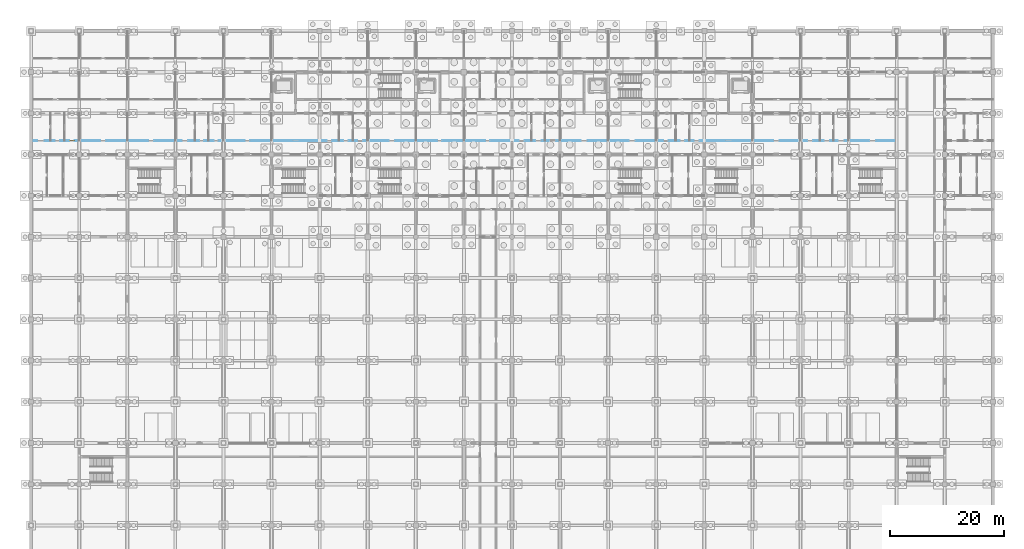
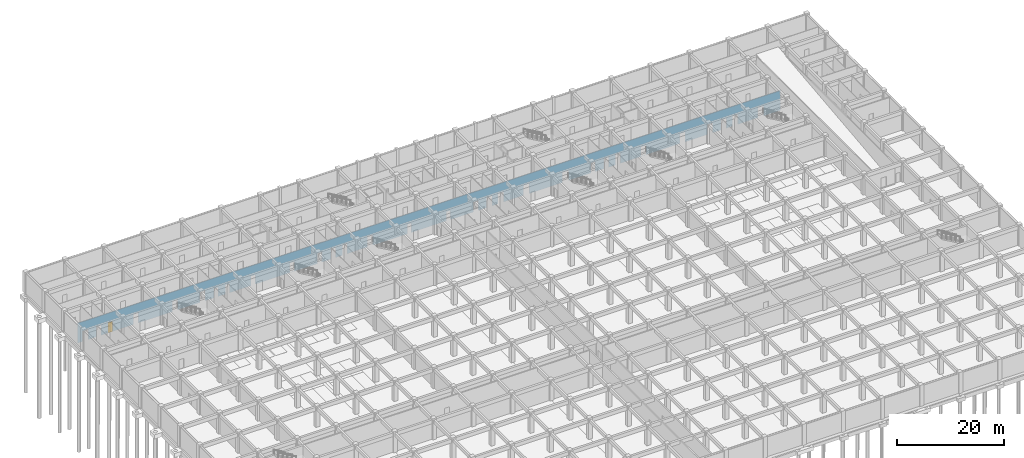
# One storey, part 43 of 85: 1 door, 30 openings, plus 1 element that does not belong to this part.
"""IFC4 building model written with IfcOpenShell, lengths in metres."""

from ifc_helpers import new_model, si_unit, direction, frame, frame_2d, origin, place, context, subcontext, project, spatial, rectangle, extrude, material, layer, layer_set, type_object, element, fill, save


model = new_model("IFC4")

# Units and contexts
model_context = context("Model", 3, precision=1e-05, world=origin(), true_north=direction((0.0, 1.0)))
body_context = subcontext(model_context, "Body", "Model", "MODEL_VIEW")
ifc_project = project(units=[si_unit("LENGTHUNIT", "METRE"), si_unit("AREAUNIT", "SQUARE_METRE"), si_unit("VOLUMEUNIT", "CUBIC_METRE"), si_unit("PLANEANGLEUNIT", "RADIAN"), si_unit("MASSUNIT", "GRAM", prefix="KILO")], contexts=[model_context])

# Site, building, storey
site_placement = place(None, origin())
site = spatial("IfcSite", under=ifc_project, at=site_placement, CompositionType="ELEMENT")
building_placement = place(site_placement, origin())
building = spatial("IfcBuilding", under=site, at=building_placement, Name="Chengyuan Square Courthouse", CompositionType="ELEMENT")
storey_placement = place(building_placement, frame((0.0, 0.0, -10.199951171875)))
storey = spatial("IfcBuildingStorey", under=building, at=storey_placement, Name="B02", CompositionType="ELEMENT", Elevation=-10.199951171875)

# Wall, openings, door
ifc_material_1 = material(Name="Gypsum Plasterboard Acoustic Stud Partition")
ifc_layer = layer(ifc_material_1, 0.10009765625)
ifc_layer_set = layer_set([ifc_layer], Name="Gypsum Plasterboard Acoustic Stud Partition")
wall_type = type_object("IfcWallType", Name="WL-PT6", PredefinedType="STANDARD", material=ifc_layer_set)
wall_placement = place(storey_placement, frame((0.0400390625, 96.0, 0.0), z_axis=(0.0, 0.0, 1.0), x_axis=(1.0, 0.0, 0.0)))
wall = element("IfcWall", 1, at=wall_placement, inside=storey, type_object=wall_type, Name="Interior Wall WL-B02-I062", PredefinedType="STANDARD", context=body_context, shape_type="SweptSolid", body=[
    extrude(rectangle(XDim=151.159912109375, YDim=0.10009765625, at=frame_2d((75.580078125, 0.0))), origin(), (0.0, 0.0, 1.0), 4.47998046875),
])
opening_1_placement = place(wall_placement, frame((1.0400390625, 0.0, 0.0)))
element("IfcOpeningElement", 2, at=opening_1_placement, cuts=wall, Name="Opening DR-148", PredefinedType="OPENING", context=body_context, shape_type="SweptSolid", body=[
    extrude(rectangle(XDim=1.280029296875, YDim=2.35009765625, at=frame_2d((0.64013671875, 1.175048828125))), frame((0.0, 0.06201171875, 0.0), z_axis=(0.0, -1.0, 0.0), x_axis=(1.0, 0.0, 0.0)), (0.0, 0.0, 1.0), 0.1240234375),
])
opening_2_placement = place(wall_placement, frame((4.090087890625, 0.0, 0.0)))
element("IfcOpeningElement", 3, at=opening_2_placement, cuts=wall, Name="Opening DR-149", PredefinedType="OPENING", context=body_context, shape_type="SweptSolid", body=[
    extrude(rectangle(XDim=0.93994140625, YDim=2.300048828125, at=frame_2d((0.469970703125, 1.14990234375))), frame((0.0, 0.06201171875, 0.0), z_axis=(0.0, -1.0, 0.0), x_axis=(1.0, 0.0, 0.0)), (0.0, 0.0, 1.0), 0.1240234375),
])
opening_3_placement = place(wall_placement, frame((6.570068359375, 0.0, 0.0)))
opening_3 = element("IfcOpeningElement", 4, at=opening_3_placement, cuts=wall, Name="Opening DR-150", PredefinedType="OPENING", context=body_context, shape_type="SweptSolid", body=[
    extrude(rectangle(XDim=0.97998046875, YDim=2.35009765625, at=frame_2d((0.489990234375, 1.175048828125))), frame((0.0, 0.06201171875, 0.0), z_axis=(0.0, -1.0, 0.0), x_axis=(1.0, 0.0, 0.0)), (0.0, 0.0, 1.0), 0.1240234375),
])
opening_4_placement = place(wall_placement, frame((12.050048828125, 0.0, 0.0)))
element("IfcOpeningElement", 5, at=opening_4_placement, cuts=wall, Name="Opening DR-151", PredefinedType="OPENING", context=body_context, shape_type="SweptSolid", body=[
    extrude(rectangle(XDim=1.02001953125, YDim=2.39990234375, at=frame_2d((0.510009765625, 1.199951171875))), frame((0.0, 0.06201171875, 0.0), z_axis=(0.0, -1.0, 0.0), x_axis=(1.0, 0.0, 0.0)), (0.0, 0.0, 1.0), 0.1240234375),
])
opening_5_placement = place(wall_placement, frame((20.429931640625, 0.0, 0.0)))
element("IfcOpeningElement", 6, at=opening_5_placement, cuts=wall, Name="Opening DR-152", PredefinedType="OPENING", context=body_context, shape_type="SweptSolid", body=[
    extrude(rectangle(XDim=1.06005859375, YDim=2.39990234375, at=frame_2d((0.530029296875, 1.199951171875))), frame((0.0, 0.06201171875, 0.0), z_axis=(0.0, -1.0, 0.0), x_axis=(1.0, 0.0, 0.0)), (0.0, 0.0, 1.0), 0.1240234375),
])
opening_6_placement = place(wall_placement, frame((26.2900390625, 0.0, 0.0)))
element("IfcOpeningElement", 7, at=opening_6_placement, cuts=wall, Name="Opening DR-153", PredefinedType="OPENING", context=body_context, shape_type="SweptSolid", body=[
    extrude(rectangle(XDim=1.139892578125, YDim=2.39990234375, at=frame_2d((0.56982421875, 1.199951171875))), frame((0.0, 0.06201171875, 0.0), z_axis=(0.0, -1.0, 0.0), x_axis=(1.0, 0.0, 0.0)), (0.0, 0.0, 1.0), 0.1240234375),
])
opening_7_placement = place(wall_placement, frame((29.31005859375, 0.0, 0.0)))
element("IfcOpeningElement", 8, at=opening_7_placement, cuts=wall, Name="Opening DR-154", PredefinedType="OPENING", context=body_context, shape_type="SweptSolid", body=[
    extrude(rectangle(XDim=0.89990234375, YDim=2.14990234375, at=frame_2d((0.449951171875, 1.074951171875))), frame((0.0, 0.06201171875, 0.0), z_axis=(0.0, -1.0, 0.0), x_axis=(1.0, 0.0, 0.0)), (0.0, 0.0, 1.0), 0.1240234375),
])
opening_8_placement = place(wall_placement, frame((31.830078125, 0.0, 0.0)))
element("IfcOpeningElement", 9, at=opening_8_placement, cuts=wall, Name="Opening DR-155", PredefinedType="OPENING", context=body_context, shape_type="SweptSolid", body=[
    extrude(rectangle(XDim=0.860107421875, YDim=2.10009765625, at=frame_2d((0.43017578125, 1.050048828125))), frame((0.0, 0.06201171875, 0.0), z_axis=(0.0, -1.0, 0.0), x_axis=(1.0, 0.0, 0.0)), (0.0, 0.0, 1.0), 0.1240234375),
])
opening_9_placement = place(wall_placement, frame((37.300048828125, 0.0, 0.0)))
element("IfcOpeningElement", 10, at=opening_9_placement, cuts=wall, Name="Opening DR-156", PredefinedType="OPENING", context=body_context, shape_type="SweptSolid", body=[
    extrude(rectangle(XDim=0.919921875, YDim=2.14990234375, at=frame_2d((0.4599609375, 1.074951171875))), frame((0.0, 0.06201171875, 0.0), z_axis=(0.0, -1.0, 0.0), x_axis=(1.0, 0.0, 0.0)), (0.0, 0.0, 1.0), 0.1240234375),
])
opening_10_placement = place(wall_placement, frame((45.679931640625, 0.0, 0.0)))
element("IfcOpeningElement", 11, at=opening_10_placement, cuts=wall, Name="Opening DR-157", PredefinedType="OPENING", context=body_context, shape_type="SweptSolid", body=[
    extrude(rectangle(XDim=0.9599609375, YDim=2.199951171875, at=frame_2d((0.47998046875, 1.10009765625))), frame((0.0, 0.06201171875, 0.0), z_axis=(0.0, -1.0, 0.0), x_axis=(1.0, 0.0, 0.0)), (0.0, 0.0, 1.0), 0.1240234375),
])
opening_11_placement = place(wall_placement, frame((51.570068359375, 0.0, 0.0)))
element("IfcOpeningElement", 12, at=opening_11_placement, cuts=wall, Name="Opening DR-167", PredefinedType="OPENING", context=body_context, shape_type="SweptSolid", body=[
    extrude(rectangle(XDim=0.97998046875, YDim=2.35009765625, at=frame_2d((0.489990234375, 1.175048828125))), frame((0.0, 0.06201171875, 0.0), z_axis=(0.0, -1.0, 0.0), x_axis=(1.0, 0.0, 0.0)), (0.0, 0.0, 1.0), 0.1240234375),
])
opening_12_placement = place(wall_placement, frame((54.449951171875, 0.0, 0.0)))
element("IfcOpeningElement", 13, at=opening_12_placement, cuts=wall, Name="Opening DR-168", PredefinedType="OPENING", context=body_context, shape_type="SweptSolid", body=[
    extrude(rectangle(XDim=1.02001953125, YDim=2.39990234375, at=frame_2d((0.510009765625, 1.199951171875))), frame((0.0, 0.06201171875, 0.0), z_axis=(0.0, -1.0, 0.0), x_axis=(1.0, 0.0, 0.0)), (0.0, 0.0, 1.0), 0.1240234375),
])
opening_13_placement = place(wall_placement, frame((56.929931640625, 0.0, 0.0)))
element("IfcOpeningElement", 14, at=opening_13_placement, cuts=wall, Name="Opening DR-169", PredefinedType="OPENING", context=body_context, shape_type="SweptSolid", body=[
    extrude(rectangle(XDim=1.06005859375, YDim=2.39990234375, at=frame_2d((0.530029296875, 1.199951171875))), frame((0.0, 0.06201171875, 0.0), z_axis=(0.0, -1.0, 0.0), x_axis=(1.0, 0.0, 0.0)), (0.0, 0.0, 1.0), 0.1240234375),
])
opening_14_placement = place(wall_placement, frame((62.389892578125, 0.0, 0.0)))
element("IfcOpeningElement", 15, at=opening_14_placement, cuts=wall, Name="Opening DR-170", PredefinedType="OPENING", context=body_context, shape_type="SweptSolid", body=[
    extrude(rectangle(XDim=1.139892578125, YDim=2.39990234375, at=frame_2d((0.56982421875, 1.199951171875))), frame((0.0, 0.06201171875, 0.0), z_axis=(0.0, -1.0, 0.0), x_axis=(1.0, 0.0, 0.0)), (0.0, 0.0, 1.0), 0.1240234375),
])
opening_15_placement = place(wall_placement, frame((70.909912109375, 0.0, 0.0)))
element("IfcOpeningElement", 16, at=opening_15_placement, cuts=wall, Name="Opening DR-171", PredefinedType="OPENING", context=body_context, shape_type="SweptSolid", body=[
    extrude(rectangle(XDim=0.89990234375, YDim=2.14990234375, at=frame_2d((0.449951171875, 1.074951171875))), frame((0.0, 0.06201171875, 0.0), z_axis=(0.0, -1.0, 0.0), x_axis=(1.0, 0.0, 0.0)), (0.0, 0.0, 1.0), 0.1240234375),
])
opening_16_placement = place(wall_placement, frame((79.330078125, 0.0, 0.0)))
element("IfcOpeningElement", 17, at=opening_16_placement, cuts=wall, Name="Opening DR-172", PredefinedType="OPENING", context=body_context, shape_type="SweptSolid", body=[
    extrude(rectangle(XDim=0.860107421875, YDim=2.10009765625, at=frame_2d((0.43017578125, 1.050048828125))), frame((0.0, 0.06201171875, 0.0), z_axis=(0.0, -1.0, 0.0), x_axis=(1.0, 0.0, 0.0)), (0.0, 0.0, 1.0), 0.1240234375),
])
opening_17_placement = place(wall_placement, frame((85.10009765625, 0.0, 0.0)))
element("IfcOpeningElement", 18, at=opening_17_placement, cuts=wall, Name="Opening DR-178", PredefinedType="OPENING", context=body_context, shape_type="SweptSolid", body=[
    extrude(rectangle(XDim=1.1201171875, YDim=2.25, at=frame_2d((0.56005859375, 1.125))), frame((0.0, 0.06201171875, 0.0), z_axis=(0.0, -1.0, 0.0), x_axis=(1.0, 0.0, 0.0)), (0.0, 0.0, 1.0), 0.1240234375),
])
opening_18_placement = place(wall_placement, frame((87.97998046875, 0.0, 0.0)))
element("IfcOpeningElement", 19, at=opening_18_placement, cuts=wall, Name="Opening DR-179", PredefinedType="OPENING", context=body_context, shape_type="SweptSolid", body=[
    extrude(rectangle(XDim=1.159912109375, YDim=2.300048828125, at=frame_2d((0.580078125, 1.14990234375))), frame((0.0, 0.06201171875, 0.0), z_axis=(0.0, -1.0, 0.0), x_axis=(1.0, 0.0, 0.0)), (0.0, 0.0, 1.0), 0.1240234375),
])
opening_19_placement = place(wall_placement, frame((90.4599609375, 0.0, 0.0)))
element("IfcOpeningElement", 20, at=opening_19_placement, cuts=wall, Name="Opening DR-180", PredefinedType="OPENING", context=body_context, shape_type="SweptSolid", body=[
    extrude(rectangle(XDim=1.199951171875, YDim=2.35009765625, at=frame_2d((0.60009765625, 1.175048828125))), frame((0.0, 0.06201171875, 0.0), z_axis=(0.0, -1.0, 0.0), x_axis=(1.0, 0.0, 0.0)), (0.0, 0.0, 1.0), 0.1240234375),
])
opening_20_placement = place(wall_placement, frame((95.93994140625, 0.0, 0.0)))
element("IfcOpeningElement", 21, at=opening_20_placement, cuts=wall, Name="Opening DR-181", PredefinedType="OPENING", context=body_context, shape_type="SweptSolid", body=[
    extrude(rectangle(XDim=1.239990234375, YDim=2.300048828125, at=frame_2d((0.6201171875, 1.14990234375))), frame((0.0, 0.06201171875, 0.0), z_axis=(0.0, -1.0, 0.0), x_axis=(1.0, 0.0, 0.0)), (0.0, 0.0, 1.0), 0.1240234375),
])
opening_21_placement = place(wall_placement, frame((104.320068359375, 0.0, 0.0)))
element("IfcOpeningElement", 22, at=opening_21_placement, cuts=wall, Name="Opening DR-182", PredefinedType="OPENING", context=body_context, shape_type="SweptSolid", body=[
    extrude(rectangle(XDim=1.280029296875, YDim=2.35009765625, at=frame_2d((0.64013671875, 1.175048828125))), frame((0.0, 0.06201171875, 0.0), z_axis=(0.0, -1.0, 0.0), x_axis=(1.0, 0.0, 0.0)), (0.0, 0.0, 1.0), 0.1240234375),
])
opening_22_placement = place(wall_placement, frame((110.389892578125, 0.0, 0.0)))
element("IfcOpeningElement", 23, at=opening_22_placement, cuts=wall, Name="Opening DR-183", PredefinedType="OPENING", context=body_context, shape_type="SweptSolid", body=[
    extrude(rectangle(XDim=0.93994140625, YDim=2.300048828125, at=frame_2d((0.469970703125, 1.14990234375))), frame((0.0, 0.06201171875, 0.0), z_axis=(0.0, -1.0, 0.0), x_axis=(1.0, 0.0, 0.0)), (0.0, 0.0, 1.0), 0.1240234375),
])
opening_23_placement = place(wall_placement, frame((113.27001953125, 0.0, 0.0)))
element("IfcOpeningElement", 24, at=opening_23_placement, cuts=wall, Name="Opening DR-184", PredefinedType="OPENING", context=body_context, shape_type="SweptSolid", body=[
    extrude(rectangle(XDim=0.97998046875, YDim=2.35009765625, at=frame_2d((0.489990234375, 1.175048828125))), frame((0.0, 0.06201171875, 0.0), z_axis=(0.0, -1.0, 0.0), x_axis=(1.0, 0.0, 0.0)), (0.0, 0.0, 1.0), 0.1240234375),
])
opening_24_placement = place(wall_placement, frame((115.75, 0.0, 0.0)))
element("IfcOpeningElement", 25, at=opening_24_placement, cuts=wall, Name="Opening DR-185", PredefinedType="OPENING", context=body_context, shape_type="SweptSolid", body=[
    extrude(rectangle(XDim=1.02001953125, YDim=2.39990234375, at=frame_2d((0.510009765625, 1.199951171875))), frame((0.0, 0.06201171875, 0.0), z_axis=(0.0, -1.0, 0.0), x_axis=(1.0, 0.0, 0.0)), (0.0, 0.0, 1.0), 0.1240234375),
])
opening_25_placement = place(wall_placement, frame((121.239990234375, 0.0, 0.0)))
element("IfcOpeningElement", 26, at=opening_25_placement, cuts=wall, Name="Opening DR-193", PredefinedType="OPENING", context=body_context, shape_type="SweptSolid", body=[
    extrude(rectangle(XDim=1.0400390625, YDim=2.199951171875, at=frame_2d((0.52001953125, 1.10009765625))), frame((0.0, 0.06201171875, 0.0), z_axis=(0.0, -1.0, 0.0), x_axis=(1.0, 0.0, 0.0)), (0.0, 0.0, 1.0), 0.1240234375),
])
opening_26_placement = place(wall_placement, frame((129.6201171875, 0.0, 0.0)))
element("IfcOpeningElement", 27, at=opening_26_placement, cuts=wall, Name="Opening DR-194", PredefinedType="OPENING", context=body_context, shape_type="SweptSolid", body=[
    extrude(rectangle(XDim=1.080078125, YDim=2.25, at=frame_2d((0.5400390625, 1.125))), frame((0.0, 0.06201171875, 0.0), z_axis=(0.0, -1.0, 0.0), x_axis=(1.0, 0.0, 0.0)), (0.0, 0.0, 1.0), 0.1240234375),
])
opening_27_placement = place(wall_placement, frame((135.5, 0.0, 0.0)))
element("IfcOpeningElement", 28, at=opening_27_placement, cuts=wall, Name="Opening DR-195", PredefinedType="OPENING", context=body_context, shape_type="SweptSolid", body=[
    extrude(rectangle(XDim=1.1201171875, YDim=2.25, at=frame_2d((0.56005859375, 1.125))), frame((0.0, 0.06201171875, 0.0), z_axis=(0.0, -1.0, 0.0), x_axis=(1.0, 0.0, 0.0)), (0.0, 0.0, 1.0), 0.1240234375),
])
opening_28_placement = place(wall_placement, frame((138.3798828125, 0.0, 0.0)))
element("IfcOpeningElement", 29, at=opening_28_placement, cuts=wall, Name="Opening DR-196", PredefinedType="OPENING", context=body_context, shape_type="SweptSolid", body=[
    extrude(rectangle(XDim=1.159912109375, YDim=2.300048828125, at=frame_2d((0.580078125, 1.14990234375))), frame((0.0, 0.06201171875, 0.0), z_axis=(0.0, -1.0, 0.0), x_axis=(1.0, 0.0, 0.0)), (0.0, 0.0, 1.0), 0.1240234375),
])
opening_29_placement = place(wall_placement, frame((140.860107421875, 0.0, 0.0)))
element("IfcOpeningElement", 30, at=opening_29_placement, cuts=wall, Name="Opening DR-197", PredefinedType="OPENING", context=body_context, shape_type="SweptSolid", body=[
    extrude(rectangle(XDim=1.199951171875, YDim=2.35009765625, at=frame_2d((0.60009765625, 1.175048828125))), frame((0.0, 0.06201171875, 0.0), z_axis=(0.0, -1.0, 0.0), x_axis=(1.0, 0.0, 0.0)), (0.0, 0.0, 1.0), 0.1240234375),
])
opening_30_placement = place(wall_placement, frame((146.340087890625, 0.0, 0.0)))
element("IfcOpeningElement", 31, at=opening_30_placement, cuts=wall, Name="Opening DR-198", PredefinedType="OPENING", context=body_context, shape_type="SweptSolid", body=[
    extrude(rectangle(XDim=1.239990234375, YDim=2.300048828125, at=frame_2d((0.6201171875, 1.14990234375))), frame((0.0, 0.06201171875, 0.0), z_axis=(0.0, -1.0, 0.0), x_axis=(1.0, 0.0, 0.0)), (0.0, 0.0, 1.0), 0.1240234375),
])
ifc_material_2 = material(Name="Acoustic Solid-Core Timber Door", Category="wood")
door_type = type_object("IfcDoorType", Name="DT-40", OperationType="NOTDEFINED", PredefinedType="DOOR", material=ifc_material_2)
door_placement = place(opening_3_placement, origin())
door = element("IfcDoor", 32, at=door_placement, inside=storey, type_object=door_type, Name="Interior Door DR-150", OperationType="SINGLE_SWING_LEFT", OverallHeight=2.35009765625, OverallWidth=0.97998046875, PredefinedType="DOOR", context=body_context, shape_type="SweptSolid", body=[
    extrude(rectangle(XDim=0.97998046875, YDim=2.35009765625, at=frame_2d((0.489990234375, 1.175048828125))), frame((0.0, 0.02490234375, 0.0), z_axis=(0.0, -1.0, 0.0), x_axis=(1.0, 0.0, 0.0)), (0.0, 0.0, 1.0), 0.050048828125),
])
fill(opening_3, door)

save(model, "model.ifc")
